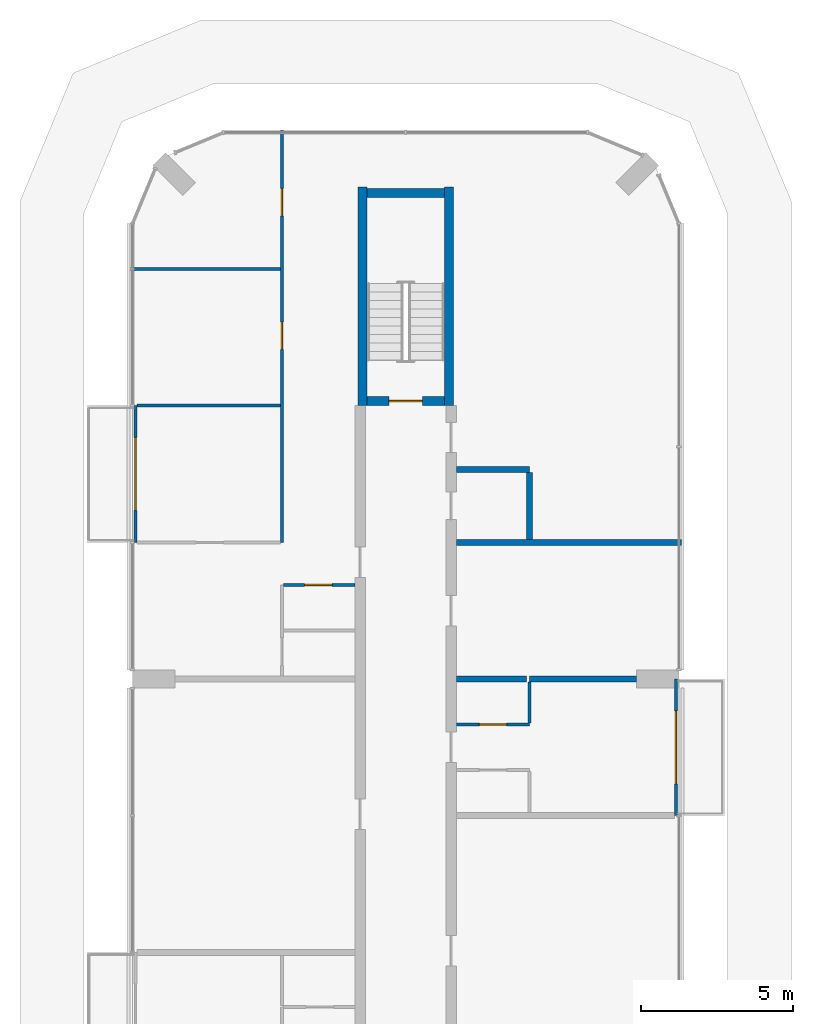
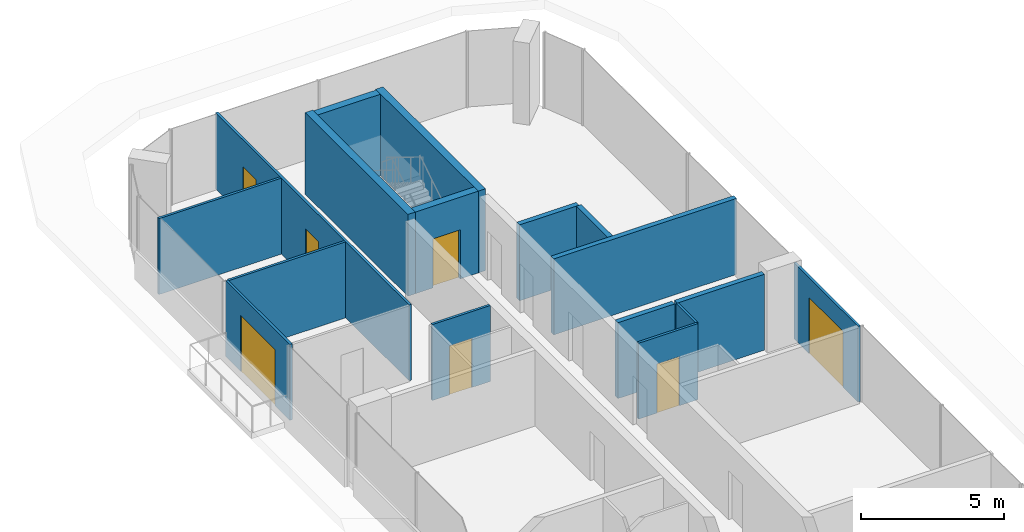
# One storey, part 17 of 24: 17 walls, 7 doors, 7 openings.
"""IFC4 building model written with IfcOpenShell, lengths in metres."""

from ifc_helpers import new_model, si_unit, direction, frame, frame_2d, origin, place, context, subcontext, project, spatial, rectangle, extrude, material, layer, layer_set, type_object, element, fill, save


model = new_model("IFC4")

# Units and contexts
model_context = context("Model", 3, precision=1e-05, world=origin(), true_north=direction((0.0, 1.0)))
body_context = subcontext(model_context, "Body", "Model", "MODEL_VIEW")
ifc_project = project(units=[si_unit("LENGTHUNIT", "METRE"), si_unit("AREAUNIT", "SQUARE_METRE"), si_unit("VOLUMEUNIT", "CUBIC_METRE"), si_unit("PLANEANGLEUNIT", "RADIAN"), si_unit("MASSUNIT", "GRAM", prefix="KILO")], contexts=[model_context])

# Site, building, storey
site_placement = place(None, origin())
site = spatial("IfcSite", under=ifc_project, at=site_placement, CompositionType="ELEMENT")
building_placement = place(site_placement, origin())
building = spatial("IfcBuilding", under=site, at=building_placement, Name="Plateau Cross Towers", CompositionType="ELEMENT")
storey_placement = place(building_placement, frame((0.0, 0.0, 30.300048828125)))
storey = spatial("IfcBuildingStorey", under=building, at=storey_placement, Name="L06", CompositionType="ELEMENT", Elevation=30.300048828125)

# Wall, opening, door
ifc_material_1 = material(Name="Aluminium framed glazing", Category="aluminium")
ifc_layer_1 = layer(ifc_material_1, 0.10009765625)
ifc_layer_set_1 = layer_set([ifc_layer_1], Name="Aluminium framed glazing")
wall_type_1 = type_object("IfcWallType", Name="Balcony screen wall 100", PredefinedType="STANDARD", material=ifc_layer_set_1)
wall_1_placement = place(storey_placement, frame((0.10009765625, 40.5, 0.0), z_axis=(0.0, 0.0, 1.0), x_axis=(0.0, 1.0, 0.0)))
wall_1 = element("IfcWall", 1, at=wall_1_placement, inside=storey, type_object=wall_type_1, Name="Balcony screen wall A-BAL-L06-02", PredefinedType="STANDARD", context=body_context, shape_type="SweptSolid", body=[
    extrude(rectangle(XDim=4.5, YDim=0.10009765625, at=frame_2d((2.25, 0.0))), origin(), (0.0, 0.0, 1.0), 3.25),
])
opening_1_placement = place(wall_1_placement, frame((1.050048828125, 0.0, 0.0)))
opening_1 = element("IfcOpeningElement", 2, at=opening_1_placement, cuts=wall_1, Name="Opening D-B24", PredefinedType="OPENING", context=body_context, shape_type="SweptSolid", body=[
    extrude(rectangle(XDim=2.39990234375, YDim=2.39990234375, at=frame_2d((1.199951171875, 1.199951171875))), frame((0.0, 0.06005859375, 0.0), z_axis=(0.0, -1.0, 0.0), x_axis=(1.0, 0.0, 0.0)), (0.0, 0.0, 1.0), 0.1201171875),
])
ifc_material_2 = material(Name="Aluminium frame, double glazing", Category="aluminium")
door_type_1 = type_object("IfcDoorType", Name="Balcony sliding door 2400", OperationType="NOTDEFINED", PredefinedType="DOOR", material=ifc_material_2)
door_1_placement = place(opening_1_placement, origin())
door_1 = element("IfcDoor", 3, at=door_1_placement, inside=storey, type_object=door_type_1, Name="Balcony door A-BAL-L06-02", OperationType="SINGLE_SWING_LEFT", OverallHeight=2.39990234375, OverallWidth=2.39990234375, PredefinedType="DOOR", context=body_context, shape_type="SweptSolid", body=[
    extrude(rectangle(XDim=2.39990234375, YDim=2.39990234375, at=frame_2d((1.199951171875, 1.199951171875))), frame((0.0, 0.02490234375, 0.0), z_axis=(0.0, -1.0, 0.0), x_axis=(1.0, 0.0, 0.0)), (0.0, 0.0, 1.0), 0.050048828125),
])
fill(opening_1, door_1)

wall_2_placement = place(storey_placement, frame((17.89990234375, 36.0, 0.0), z_axis=(0.0, 0.0, 1.0), x_axis=(0.0, -1.0, 0.0)))
wall_2 = element("IfcWall", 4, at=wall_2_placement, inside=storey, type_object=wall_type_1, Name="Balcony screen wall A-BAL-L06-03", PredefinedType="STANDARD", context=body_context, shape_type="SweptSolid", body=[
    extrude(rectangle(XDim=4.5, YDim=0.10009765625, at=frame_2d((2.25, 0.0))), origin(), (0.0, 0.0, 1.0), 3.25),
])
opening_2_placement = place(wall_2_placement, frame((1.050048828125, 0.0, 0.0)))
opening_2 = element("IfcOpeningElement", 5, at=opening_2_placement, cuts=wall_2, Name="Opening D-B24", PredefinedType="OPENING", context=body_context, shape_type="SweptSolid", body=[
    extrude(rectangle(XDim=2.39990234375, YDim=2.39990234375, at=frame_2d((1.199951171875, 1.199951171875))), frame((0.0, 0.06005859375, 0.0), z_axis=(0.0, -1.0, 0.0), x_axis=(1.0, 0.0, 0.0)), (0.0, 0.0, 1.0), 0.1201171875),
])
door_2_placement = place(opening_2_placement, origin())
door_2 = element("IfcDoor", 6, at=door_2_placement, inside=storey, type_object=door_type_1, Name="Balcony door A-BAL-L06-03", OperationType="SINGLE_SWING_LEFT", OverallHeight=2.39990234375, OverallWidth=2.39990234375, PredefinedType="DOOR", context=body_context, shape_type="SweptSolid", body=[
    extrude(rectangle(XDim=2.39990234375, YDim=2.39990234375, at=frame_2d((1.199951171875, 1.199951171875))), frame((0.0, 0.02490234375, 0.0), z_axis=(0.0, -1.0, 0.0), x_axis=(1.0, 0.0, 0.0)), (0.0, 0.0, 1.0), 0.050048828125),
])
fill(opening_2, door_2)

ifc_material_3 = material(Name="Gypsum board on steel studs", Category="steel")
ifc_layer_2 = layer(ifc_material_3, 0.10009765625)
ifc_layer_set_2 = layer_set([ifc_layer_2], Name="Gypsum board on steel studs")
wall_type_2 = type_object("IfcWallType", Name="Flat partition 100", PredefinedType="PARTITIONING", material=ifc_layer_set_2)
wall_3_placement = place(storey_placement, frame((10.675048828125, 34.5, 0.0), z_axis=(0.0, 0.0, 1.0), x_axis=(1.0, 0.0, 0.0)))
wall_3 = element("IfcWall", 7, at=wall_3_placement, inside=storey, type_object=wall_type_2, Name="Partition wall", PredefinedType="PARTITIONING", context=body_context, shape_type="SweptSolid", body=[
    extrude(rectangle(XDim=2.39990234375, YDim=0.10009765625, at=frame_2d((1.199951171875, 0.0))), origin(), (0.0, 0.0, 1.0), 3.25),
])
opening_3_placement = place(wall_3_placement, frame((0.75, 0.0, 0.0)))
opening_3 = element("IfcOpeningElement", 8, at=opening_3_placement, cuts=wall_3, Name="Opening 06-38", PredefinedType="OPENING", context=body_context, shape_type="SweptSolid", body=[
    extrude(rectangle(XDim=0.89990234375, YDim=2.10009765625, at=frame_2d((0.449951171875, 1.050048828125))), frame((0.0, 0.06005859375, 0.0), z_axis=(0.0, -1.0, 0.0), x_axis=(1.0, 0.0, 0.0)), (0.0, 0.0, 1.0), 0.1201171875),
])
ifc_material_4 = material(Name="Timber leaf", Category="wood")
door_type_2 = type_object("IfcDoorType", Name="Flat room door 900", OperationType="NOTDEFINED", PredefinedType="DOOR", material=ifc_material_4)
door_3_placement = place(opening_3_placement, origin())
door_3 = element("IfcDoor", 9, at=door_3_placement, inside=storey, type_object=door_type_2, Name="Door 06-38", OperationType="SINGLE_SWING_RIGHT", OverallHeight=2.10009765625, OverallWidth=0.89990234375, PredefinedType="DOOR", context=body_context, shape_type="SweptSolid", body=[
    extrude(rectangle(XDim=0.89990234375, YDim=2.10009765625, at=frame_2d((0.449951171875, 1.050048828125))), frame((0.0, 0.02490234375, 0.0), z_axis=(0.0, -1.0, 0.0), x_axis=(1.0, 0.0, 0.0)), (0.0, 0.0, 1.0), 0.050048828125),
])
fill(opening_3, door_3)

wall_4_placement = place(storey_placement, frame((7.324951171875, 39.10009765625, 0.0), z_axis=(0.0, 0.0, 1.0), x_axis=(-1.0, 0.0, 0.0)))
wall_4 = element("IfcWall", 10, at=wall_4_placement, inside=storey, type_object=wall_type_2, Name="Partition wall", PredefinedType="PARTITIONING", context=body_context, shape_type="SweptSolid", body=[
    extrude(rectangle(XDim=2.349853515625, YDim=0.10009765625, at=frame_2d((1.1748046875, 0.0))), origin(), (0.0, 0.0, 1.0), 3.25),
])
opening_4_placement = place(wall_4_placement, frame((0.75, 0.0, 0.0)))
opening_4 = element("IfcOpeningElement", 11, at=opening_4_placement, cuts=wall_4, Name="Opening 06-31", PredefinedType="OPENING", context=body_context, shape_type="SweptSolid", body=[
    extrude(rectangle(XDim=0.89990234375, YDim=2.10009765625, at=frame_2d((0.449951171875, 1.050048828125))), frame((0.0, 0.06005859375, 0.0), z_axis=(0.0, -1.0, 0.0), x_axis=(1.0, 0.0, 0.0)), (0.0, 0.0, 1.0), 0.1201171875),
])
door_4_placement = place(opening_4_placement, origin())
door_4 = element("IfcDoor", 12, at=door_4_placement, inside=storey, type_object=door_type_2, Name="Door 06-31", OperationType="SINGLE_SWING_RIGHT", OverallHeight=2.10009765625, OverallWidth=0.89990234375, PredefinedType="DOOR", context=body_context, shape_type="SweptSolid", body=[
    extrude(rectangle(XDim=0.89990234375, YDim=2.10009765625, at=frame_2d((0.449951171875, 1.050048828125))), frame((0.0, 0.02490234375, 0.0), z_axis=(0.0, -1.0, 0.0), x_axis=(1.0, 0.0, 0.0)), (0.0, 0.0, 1.0), 0.050048828125),
])
fill(opening_4, door_4)

# Walls
wall_5_placement = place(storey_placement, frame((4.875, 45.0, 0.0), z_axis=(0.0, 0.0, 1.0), x_axis=(-1.0, 0.0, 0.0)))
element("IfcWall", 13, at=wall_5_placement, inside=storey, type_object=wall_type_2, Name="Partition wall", PredefinedType="PARTITIONING", context=body_context, shape_type="SweptSolid", body=[
    extrude(rectangle(XDim=4.72509765625, YDim=0.10009765625, at=frame_2d((2.362548828125, 0.0))), origin(), (0.0, 0.0, 1.0), 3.25),
])
wall_6_placement = place(storey_placement, frame((4.875, 49.5, 0.0), z_axis=(0.0, 0.0, 1.0), x_axis=(-1.0, 0.0, 0.0)))
element("IfcWall", 14, at=wall_6_placement, inside=storey, type_object=wall_type_2, Name="Partition wall", PredefinedType="PARTITIONING", context=body_context, shape_type="SweptSolid", body=[
    extrude(rectangle(XDim=4.955078125, YDim=0.10009765625, at=frame_2d((2.4775390625, 0.0))), origin(), (0.0, 0.0, 1.0), 3.25),
])

# Wall, openings, doors
wall_7_placement = place(storey_placement, frame((4.925048828125, 40.5, 0.0), z_axis=(0.0, 0.0, 1.0), x_axis=(0.0, 1.0, 0.0)))
wall_7 = element("IfcWall", 15, at=wall_7_placement, inside=storey, type_object=wall_type_2, Name="Partition wall", PredefinedType="PARTITIONING", context=body_context, shape_type="SweptSolid", body=[
    extrude(rectangle(XDim=13.580078125, YDim=0.10009765625, at=frame_2d((6.7900390625, 0.0))), origin(), (0.0, 0.0, 1.0), 3.25),
])
opening_5_placement = place(wall_7_placement, frame((6.35009765625, 0.0, 0.0)))
opening_5 = element("IfcOpeningElement", 16, at=opening_5_placement, cuts=wall_7, Name="Opening 06-33", PredefinedType="OPENING", context=body_context, shape_type="SweptSolid", body=[
    extrude(rectangle(XDim=0.89990234375, YDim=2.10009765625, at=frame_2d((0.449951171875, 1.050048828125))), frame((0.0, 0.06005859375, 0.0), z_axis=(0.0, -1.0, 0.0), x_axis=(1.0, 0.0, 0.0)), (0.0, 0.0, 1.0), 0.1201171875),
])
opening_6_placement = place(wall_7_placement, frame((10.75, 0.0, 0.0)))
opening_6 = element("IfcOpeningElement", 17, at=opening_6_placement, cuts=wall_7, Name="Opening 06-34", PredefinedType="OPENING", context=body_context, shape_type="SweptSolid", body=[
    extrude(rectangle(XDim=0.89990234375, YDim=2.10009765625, at=frame_2d((0.449951171875, 1.050048828125))), frame((0.0, 0.06005859375, 0.0), z_axis=(0.0, -1.0, 0.0), x_axis=(1.0, 0.0, 0.0)), (0.0, 0.0, 1.0), 0.1201171875),
])
door_5_placement = place(opening_5_placement, origin())
door_5 = element("IfcDoor", 18, at=door_5_placement, inside=storey, type_object=door_type_2, Name="Door 06-33", OperationType="SINGLE_SWING_RIGHT", OverallHeight=2.10009765625, OverallWidth=0.89990234375, PredefinedType="DOOR", context=body_context, shape_type="SweptSolid", body=[
    extrude(rectangle(XDim=0.89990234375, YDim=2.10009765625, at=frame_2d((0.449951171875, 1.050048828125))), frame((0.0, 0.02490234375, 0.0), z_axis=(0.0, -1.0, 0.0), x_axis=(1.0, 0.0, 0.0)), (0.0, 0.0, 1.0), 0.050048828125),
])
fill(opening_5, door_5)
door_6_placement = place(opening_6_placement, origin())
door_6 = element("IfcDoor", 19, at=door_6_placement, inside=storey, type_object=door_type_2, Name="Door 06-34", OperationType="SINGLE_SWING_RIGHT", OverallHeight=2.10009765625, OverallWidth=0.89990234375, PredefinedType="DOOR", context=body_context, shape_type="SweptSolid", body=[
    extrude(rectangle(XDim=0.89990234375, YDim=2.10009765625, at=frame_2d((0.449951171875, 1.050048828125))), frame((0.0, 0.02490234375, 0.0), z_axis=(0.0, -1.0, 0.0), x_axis=(1.0, 0.0, 0.0)), (0.0, 0.0, 1.0), 0.050048828125),
])
fill(opening_6, door_6)

# Walls
wall_8_placement = place(storey_placement, frame((13.074951171875, 34.550048828125, 0.0), z_axis=(0.0, 0.0, 1.0), x_axis=(0.0, 1.0, 0.0)))
element("IfcWall", 20, at=wall_8_placement, inside=storey, type_object=wall_type_2, Name="Partition wall", PredefinedType="PARTITIONING", context=body_context, shape_type="SweptSolid", body=[
    extrude(rectangle(XDim=1.349853515625, YDim=0.10009765625, at=frame_2d((0.6748046875, 0.0))), origin(), (0.0, 0.0, 1.0), 3.25),
])
ifc_material_5 = material(Name="Gypsum board on steel studs, two layers each side", Category="steel")
ifc_layer_3 = layer(ifc_material_5, 0.199951171875)
ifc_layer_set_3 = layer_set([ifc_layer_3], Name="Gypsum board on steel studs, two layers each side")
wall_type_3 = type_object("IfcWallType", Name="Flat party wall 200", PredefinedType="PARTITIONING", material=ifc_layer_set_3)
wall_9_placement = place(storey_placement, frame((12.97509765625, 36.0, 0.0), z_axis=(0.0, 0.0, 1.0), x_axis=(-1.0, 0.0, 0.0)))
element("IfcWall", 21, at=wall_9_placement, inside=storey, type_object=wall_type_3, Name="Party wall", PredefinedType="PARTITIONING", context=body_context, shape_type="SweptSolid", body=[
    extrude(rectangle(XDim=2.300048828125, YDim=0.199951171875, at=frame_2d((1.14990234375, 0.0))), origin(), (0.0, 0.0, 1.0), 3.25),
])
wall_10_placement = place(storey_placement, frame((13.074951171875, 36.0, 0.0), z_axis=(0.0, 0.0, 1.0), x_axis=(1.0, 0.0, 0.0)))
element("IfcWall", 22, at=wall_10_placement, inside=storey, type_object=wall_type_3, Name="Party wall", PredefinedType="PARTITIONING", context=body_context, shape_type="SweptSolid", body=[
    extrude(rectangle(XDim=3.525146484375, YDim=0.199951171875, at=frame_2d((1.7626953125, 0.0))), origin(), (0.0, 0.0, 1.0), 3.25),
])
wall_11_placement = place(storey_placement, frame((18.080078125, 40.5, 0.0), z_axis=(0.0, 0.0, 1.0), x_axis=(-1.0, 0.0, 0.0)))
element("IfcWall", 23, at=wall_11_placement, inside=storey, type_object=wall_type_3, Name="Party wall", PredefinedType="PARTITIONING", context=body_context, shape_type="SweptSolid", body=[
    extrude(rectangle(XDim=7.405029296875, YDim=0.199951171875, at=frame_2d((3.70263671875, 0.0))), origin(), (0.0, 0.0, 1.0), 3.25),
])
wall_12_placement = place(storey_placement, frame((13.074951171875, 42.89990234375, 0.0), z_axis=(0.0, 0.0, 1.0), x_axis=(-1.0, 0.0, 0.0)))
element("IfcWall", 24, at=wall_12_placement, inside=storey, type_object=wall_type_3, Name="Party wall", PredefinedType="PARTITIONING", context=body_context, shape_type="SweptSolid", body=[
    extrude(rectangle(XDim=2.39990234375, YDim=0.199951171875, at=frame_2d((1.199951171875, 0.0))), origin(), (0.0, 0.0, 1.0), 3.25),
])
wall_13_placement = place(storey_placement, frame((13.074951171875, 40.60009765625, 0.0), z_axis=(0.0, 0.0, 1.0), x_axis=(0.0, 1.0, 0.0)))
element("IfcWall", 25, at=wall_13_placement, inside=storey, type_object=wall_type_3, Name="Party wall", PredefinedType="PARTITIONING", context=body_context, shape_type="SweptSolid", body=[
    extrude(rectangle(XDim=2.199951171875, YDim=0.199951171875, at=frame_2d((1.10009765625, 0.0))), origin(), (0.0, 0.0, 1.0), 3.25),
])

# Wall, opening, door
ifc_material_6 = material(Name="Concrete C60/75", Category="concrete")
ifc_layer_4 = layer(ifc_material_6, 0.300048828125)
ifc_layer_set_4 = layer_set([ifc_layer_4], Name="Concrete C60/75")
wall_type_4 = type_object("IfcWallType", Name="Stair tower wall 300", PredefinedType="SHEAR", material=ifc_layer_set_4)
wall_14_placement = place(storey_placement, frame((7.72509765625, 45.14990234375, 0.0), z_axis=(0.0, 0.0, 1.0), x_axis=(1.0, 0.0, 0.0)))
wall_14 = element("IfcWall", 26, at=wall_14_placement, inside=storey, type_object=wall_type_4, Name="A-end-N-S@L06", PredefinedType="SHEAR", context=body_context, shape_type="SweptSolid", body=[
    extrude(rectangle(XDim=2.5498046875, YDim=0.300048828125, at=frame_2d((1.27490234375, 0.0))), origin(), (0.0, 0.0, 1.0), 3.5),
])
opening_7_placement = place(wall_14_placement, frame((0.72509765625, 0.0, 0.0)))
opening_7 = element("IfcOpeningElement", 27, at=opening_7_placement, cuts=wall_14, Name="Opening SD", PredefinedType="OPENING", context=body_context, shape_type="SweptSolid", body=[
    extrude(rectangle(XDim=1.10009765625, YDim=2.10009765625, at=frame_2d((0.550048828125, 1.050048828125))), frame((0.0, 0.159912109375, 0.0), z_axis=(0.0, -1.0, 0.0), x_axis=(1.0, 0.0, 0.0)), (0.0, 0.0, 1.0), 0.320068359375),
])
ifc_material_7 = material(Name="Steel, fire-resisting leaf", Category="steel")
door_type_3 = type_object("IfcDoorType", Name="Stair door 1100", OperationType="NOTDEFINED", PredefinedType="DOOR", material=ifc_material_7)
door_7_placement = place(opening_7_placement, origin())
door_7 = element("IfcDoor", 28, at=door_7_placement, inside=storey, type_object=door_type_3, Name="Stair door SD", OperationType="SINGLE_SWING_LEFT", OverallHeight=2.10009765625, OverallWidth=1.10009765625, PredefinedType="DOOR", context=body_context, shape_type="SweptSolid", body=[
    extrude(rectangle(XDim=1.10009765625, YDim=2.10009765625, at=frame_2d((0.550048828125, 1.050048828125))), frame((0.0, 0.02490234375, 0.0), z_axis=(0.0, -1.0, 0.0), x_axis=(1.0, 0.0, 0.0)), (0.0, 0.0, 1.0), 0.050048828125),
])
fill(opening_7, door_7)

# Walls
wall_15_placement = place(storey_placement, frame((7.72509765625, 52.0, 0.0), z_axis=(0.0, 0.0, 1.0), x_axis=(1.0, 0.0, 0.0)))
element("IfcWall", 29, at=wall_15_placement, inside=storey, type_object=wall_type_4, Name="A-end-N-N@L06", PredefinedType="SHEAR", context=body_context, shape_type="SweptSolid", body=[
    extrude(rectangle(XDim=2.5498046875, YDim=0.300048828125, at=frame_2d((1.27490234375, 0.0))), origin(), (0.0, 0.0, 1.0), 3.5),
])
for number, where, z_axis, x_axis, name in (
    (30, (7.574951171875, 45.0, 0.0), (0.0, 0.0, 1.0), (0.0, 1.0, 0.0), "A-end-N-W@L06"),
    (31, (10.425048828125, 45.0, 0.0), (0.0, 0.0, 1.0), (0.0, 1.0, 0.0), "A-end-N-E@L06"),
):
    element("IfcWall", number, at=place(storey_placement, frame(where, z_axis=z_axis, x_axis=x_axis)), inside=storey, type_object=wall_type_4, Name=name, PredefinedType="SHEAR", context=body_context, shape_type="SweptSolid", body=[
        extrude(rectangle(XDim=7.199951171875, YDim=0.300048828125, at=frame_2d((3.60009765625, 0.0))), origin(), (0.0, 0.0, 1.0), 3.5),
    ])

save(model, "model.ifc")
